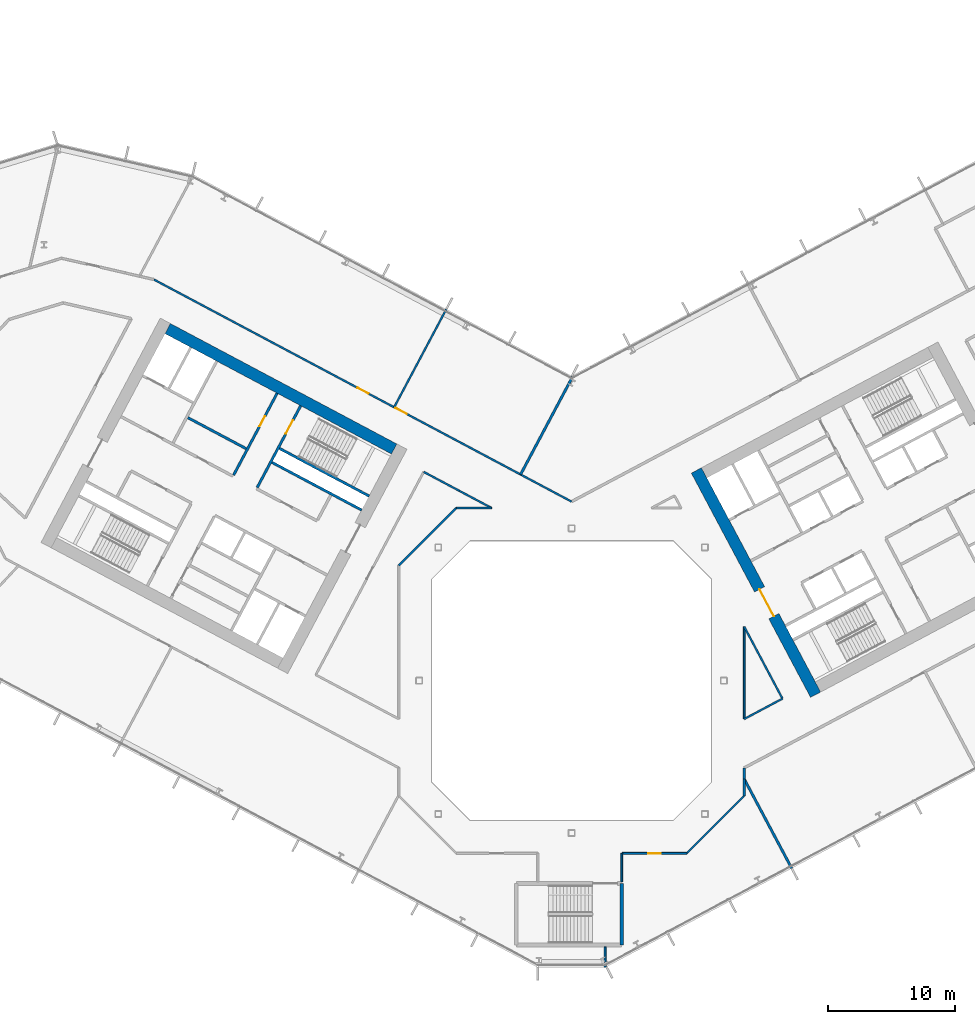
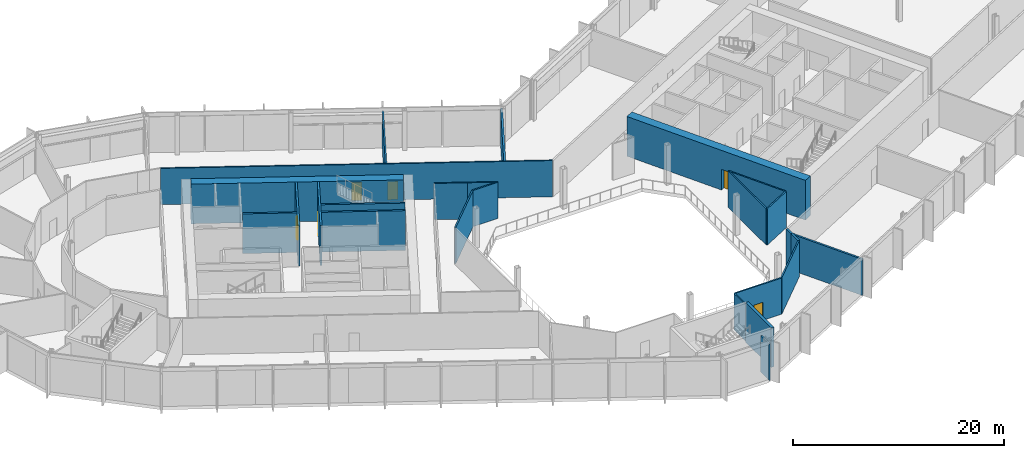
# One storey, part 16 of 30: 25 walls, 6 doors, 6 openings.
"""IFC4 building model written with IfcOpenShell, lengths in metres."""

from ifc_helpers import new_model, si_unit, direction, frame, frame_2d, origin, place, context, subcontext, project, spatial, rectangle, extrude, material, layer, layer_set, type_object, element, fill, save


model = new_model("IFC4")

# Units and contexts
model_context = context("Model", 3, precision=1e-05, world=origin(), true_north=direction((0.0, 1.0)))
body_context = subcontext(model_context, "Body", "Model", "MODEL_VIEW")
ifc_project = project(units=[si_unit("LENGTHUNIT", "METRE"), si_unit("AREAUNIT", "SQUARE_METRE"), si_unit("VOLUMEUNIT", "CUBIC_METRE"), si_unit("PLANEANGLEUNIT", "RADIAN"), si_unit("MASSUNIT", "GRAM", prefix="KILO")], contexts=[model_context])

# Site, building, storey
site_placement = place(None, origin())
site = spatial("IfcSite", under=ifc_project, at=site_placement, CompositionType="ELEMENT")
building_placement = place(site_placement, origin())
building = spatial("IfcBuilding", under=site, at=building_placement, Name="Cormorant Relay Tower", CompositionType="ELEMENT")
storey_placement = place(building_placement, frame((0.0, 0.0, 84.60009765625)))
storey = spatial("IfcBuildingStorey", under=building, at=storey_placement, Name="L16", CompositionType="ELEMENT", Elevation=84.60009765625)

# Wall, opening, door
ifc_material_1 = material(Name="Concrete 50 MPa", Category="concrete")
ifc_layer_1 = layer(ifc_material_1, 0.199951171875)
ifc_layer_set_1 = layer_set([ifc_layer_1], Name="Core shaft wall 200")
wall_type_1 = type_object("IfcWallType", Name="Core shaft wall 200", PredefinedType="SHEAR", material=ifc_layer_set_1)
wall_1_placement = place(storey_placement, frame((-21.333251953125, 21.6494140625, 0.0), z_axis=(0.0, 0.0, 1.0), x_axis=(-0.469494272526, -0.882935517501, 0.0)))
wall_1 = element("IfcWall", 1, at=wall_1_placement, inside=storey, type_object=wall_type_1, Name="L16 core A shaft wall", PredefinedType="SHEAR", context=body_context, shape_type="SweptSolid", body=[
    extrude(rectangle(XDim=7.2998046875, YDim=0.199951171875, at=frame_2d((3.64990234375, 0.0))), origin(), (0.0, 0.0, 1.0), 4.599853515625),
])
opening_1_placement = place(wall_1_placement, frame((1.300048828125, 0.0, 0.0)))
opening_1 = element("IfcOpeningElement", 2, at=opening_1_placement, cuts=wall_1, Name="Opening CDB-024", PredefinedType="OPENING", context=body_context, shape_type="SweptSolid", body=[
    extrude(rectangle(XDim=1.199951171875, YDim=2.10009765625, at=frame_2d((0.60009765625, 1.050048828125))), frame((0.0, 0.10986328125, 0.0), z_axis=(0.0, -1.0, 0.0), x_axis=(1.0, 0.0, 0.0)), (0.0, 0.0, 1.0), 0.219970703125),
])
ifc_material_2 = material(Name="Steel fire door", Category="steel")
door_type_1 = type_object("IfcDoorType", Name="Core stair door 1200x2100", OperationType="SINGLE_SWING_LEFT", PredefinedType="DOOR", material=ifc_material_2)
door_1_placement = place(opening_1_placement, origin())
door_1 = element("IfcDoor", 3, at=door_1_placement, inside=storey, type_object=door_type_1, Name="Core stair door 1200x2100", OperationType="SINGLE_SWING_RIGHT", OverallHeight=2.10009765625, OverallWidth=1.199951171875, PredefinedType="DOOR", context=body_context, shape_type="SweptSolid", body=[
    extrude(rectangle(XDim=1.199951171875, YDim=2.10009765625, at=frame_2d((0.60009765625, 1.050048828125))), frame((0.0, 0.02490234375, 0.0), z_axis=(0.0, -1.0, 0.0), x_axis=(1.0, 0.0, 0.0)), (0.0, 0.0, 1.0), 0.050048828125),
])
fill(opening_1, door_1)

wall_2_placement = place(storey_placement, frame((-23.1875, 22.635498046875, 0.0), z_axis=(0.0, 0.0, 1.0), x_axis=(-0.469454336211, -0.882956752176, 0.0)))
wall_2 = element("IfcWall", 4, at=wall_2_placement, inside=storey, type_object=wall_type_1, Name="L16 core A shaft wall", PredefinedType="SHEAR", context=body_context, shape_type="SweptSolid", body=[
    extrude(rectangle(XDim=7.300048828125, YDim=0.199951171875, at=frame_2d((3.64990234375, 0.0))), origin(), (0.0, 0.0, 1.0), 4.599853515625),
])
opening_2_placement = place(wall_2_placement, frame((2.050048828125, 0.0, 0.0)))
opening_2 = element("IfcOpeningElement", 5, at=opening_2_placement, cuts=wall_2, Name="Opening CDD-132", PredefinedType="OPENING", context=body_context, shape_type="SweptSolid", body=[
    extrude(rectangle(XDim=0.89990234375, YDim=2.10009765625, at=frame_2d((0.449951171875, 1.050048828125))), frame((0.0, 0.10986328125, 0.0), z_axis=(0.0, -1.0, 0.0), x_axis=(1.0, 0.0, 0.0)), (0.0, 0.0, 1.0), 0.219970703125),
])
ifc_material_3 = material(Name="Steel fire door", Category="steel")
door_type_2 = type_object("IfcDoorType", Name="Core room door 900x2100", OperationType="SINGLE_SWING_LEFT", PredefinedType="DOOR", material=ifc_material_3)
door_2_placement = place(opening_2_placement, origin())
door_2 = element("IfcDoor", 6, at=door_2_placement, inside=storey, type_object=door_type_2, Name="Core room door 900x2100", OperationType="SINGLE_SWING_LEFT", OverallHeight=2.10009765625, OverallWidth=0.89990234375, PredefinedType="DOOR", context=body_context, shape_type="SweptSolid", body=[
    extrude(rectangle(XDim=0.89990234375, YDim=2.10009765625, at=frame_2d((0.449951171875, 1.050048828125))), frame((0.0, 0.02490234375, 0.0), z_axis=(0.0, -1.0, 0.0), x_axis=(1.0, 0.0, 0.0)), (0.0, 0.0, 1.0), 0.050048828125),
])
fill(opening_2, door_2)

# Walls
wall_3_placement = place(storey_placement, frame((-15.94189453125, 14.53564453125, 0.0), z_axis=(0.0, 0.0, 1.0), x_axis=(-0.882946947542, 0.469472776449, 0.0)))
element("IfcWall", 7, at=wall_3_placement, inside=storey, type_object=wall_type_1, Name="L16 core A shaft wall", PredefinedType="SHEAR", context=body_context, shape_type="SweptSolid", body=[
    extrude(rectangle(XDim=8.000244140625, YDim=0.199951171875, at=frame_2d((4.0, 0.0))), origin(), (0.0, 0.0, 1.0), 4.599853515625),
])
wall_4_placement = place(storey_placement, frame((-16.52880859375, 13.43212890625, 0.0), z_axis=(0.0, 0.0, 1.0), x_axis=(-0.88295287151, 0.469461634952, 0.0)))
element("IfcWall", 8, at=wall_4_placement, inside=storey, type_object=wall_type_1, Name="L16 core A shaft wall", PredefinedType="SHEAR", context=body_context, shape_type="SweptSolid", body=[
    extrude(rectangle(XDim=7.999755859375, YDim=0.199951171875, at=frame_2d((4.0, 0.0))), origin(), (0.0, 0.0, 1.0), 4.599853515625),
])
wall_5_placement = place(storey_placement, frame((-25.623046875, 18.267578125, 0.0), z_axis=(0.0, 0.0, 1.0), x_axis=(-0.882953967957, 0.469459572775, 0.0)))
element("IfcWall", 9, at=wall_5_placement, inside=storey, type_object=wall_type_1, Name="L16 core A shaft wall", PredefinedType="SHEAR", context=body_context, shape_type="SweptSolid", body=[
    extrude(rectangle(XDim=5.199951171875, YDim=0.199951171875, at=frame_2d((2.60009765625, 0.0))), origin(), (0.0, 0.0, 1.0), 4.599853515625),
])
ifc_material_4 = material(Name="Concrete 70 MPa", Category="concrete")
ifc_layer_2 = layer(ifc_material_4, 0.89990234375)
ifc_layer_set_2 = layer_set([ifc_layer_2], Name="Core wall 900")
wall_type_2 = type_object("IfcWallType", Name="Core wall 900", PredefinedType="SHEAR", material=ifc_layer_set_2)
wall_6_placement = place(storey_placement, frame((-13.97021484375, 18.244140625, 0.0), z_axis=(0.0, 0.0, 1.0), x_axis=(-0.88294509198, 0.469476266226, 0.0)))
element("IfcWall", 10, at=wall_6_placement, inside=storey, type_object=wall_type_2, Name="L16 core A wall", PredefinedType="SHEAR", context=body_context, shape_type="SweptSolid", body=[
    extrude(rectangle(XDim=20.199951171875, YDim=0.89990234375, at=frame_2d((10.10009765625, 0.0))), origin(), (0.0, 0.0, 1.0), 4.599853515625),
])

# Wall, opening, door
wall_7_placement = place(storey_placement, frame((19.21923828125, -1.106689453125, 0.0), z_axis=(0.0, 0.0, 1.0), x_axis=(-0.46947084998, 0.882947971864, 0.0)))
wall_7 = element("IfcWall", 11, at=wall_7_placement, inside=storey, type_object=wall_type_2, Name="L16 core B wall", PredefinedType="SHEAR", context=body_context, shape_type="SweptSolid", body=[
    extrude(rectangle(XDim=20.0, YDim=0.89990234375, at=frame_2d((10.0, 0.0))), origin(), (0.0, 0.0, 1.0), 4.599853515625),
])
opening_3_placement = place(wall_7_placement, frame((7.0, 0.0, 0.0)))
opening_3 = element("IfcOpeningElement", 12, at=opening_3_placement, cuts=wall_7, Name="Opening CDA-019", PredefinedType="OPENING", context=body_context, shape_type="SweptSolid", body=[
    extrude(rectangle(XDim=2.39990234375, YDim=2.39990234375, at=frame_2d((1.199951171875, 1.199951171875))), frame((0.0, 0.4599609375, 0.0), z_axis=(0.0, -1.0, 0.0), x_axis=(1.0, 0.0, 0.0)), (0.0, 0.0, 1.0), 0.919921875),
])
ifc_material_5 = material(Name="Steel fire door", Category="steel")
door_type_3 = type_object("IfcDoorType", Name="Core lobby door 2400x2400", OperationType="DOUBLE_DOOR_SINGLE_SWING", PredefinedType="DOOR", material=ifc_material_5)
door_3_placement = place(opening_3_placement, frame((2.39990234375, 0.0, 0.0), z_axis=(0.0, 0.0, 1.0), x_axis=(-1.0, 0.0, 0.0)))
door_3 = element("IfcDoor", 13, at=door_3_placement, inside=storey, type_object=door_type_3, Name="Core lobby door 2400x2400", OperationType="DOUBLE_DOOR_SINGLE_SWING", OverallHeight=2.39990234375, OverallWidth=2.39990234375, PredefinedType="DOOR", context=body_context, shape_type="SweptSolid", body=[
    extrude(rectangle(XDim=2.39990234375, YDim=2.39990234375, at=frame_2d((1.199951171875, 1.199951171875))), frame((0.0, 0.02490234375, 0.0), z_axis=(0.0, -1.0, 0.0), x_axis=(1.0, 0.0, 0.0)), (0.0, 0.0, 1.0), 0.050048828125),
])
fill(opening_3, door_3)

# Walls
ifc_material_6 = material(Name="Fire-rated gypsum board partition")
ifc_layer_3 = layer(ifc_material_6, 0.199951171875)
ifc_layer_set_3 = layer_set([ifc_layer_3], Name="Fire-rated gypsum partition 200")
wall_type_3 = type_object("IfcWallType", Name="Fire-rated gypsum partition 200", PredefinedType="PARTITIONING", material=ifc_layer_set_3)
wall_8_placement = place(storey_placement, frame((0.10498046875, 23.98388671875, 0.0), z_axis=(0.0, 0.0, 1.0), x_axis=(-0.469364726907, -0.883004390213, 0.0)))
element("IfcWall", 14, at=wall_8_placement, inside=storey, type_object=wall_type_3, Name="wall/L16/part/45", PredefinedType="PARTITIONING", context=body_context, shape_type="SweptSolid", body=[
    extrude(rectangle(XDim=8.775390625, YDim=0.199951171875, at=frame_2d((4.3876953125, 0.0))), origin(), (0.0, 0.0, 1.0), 4.199951171875),
])
wall_9_placement = place(storey_placement, frame((13.60009765625, -7.756103515625, 0.0), z_axis=(0.0, 0.0, 1.0), x_axis=(0.0, -1.0, 0.0)))
element("IfcWall", 15, at=wall_9_placement, inside=storey, type_object=wall_type_3, Name="wall/L16/part/51", PredefinedType="PARTITIONING", context=body_context, shape_type="SweptSolid", body=[
    extrude(rectangle(XDim=1.32080078125, YDim=0.199951171875, at=frame_2d((0.660400390625, 0.0))), origin(), (0.0, 0.0, 1.0), 4.199951171875),
])
wall_10_placement = place(storey_placement, frame((13.60009765625, -7.75, 0.0), z_axis=(0.0, 0.0, 1.0), x_axis=(0.469489555723, -0.882938025609, 0.0)))
element("IfcWall", 16, at=wall_10_placement, inside=storey, type_object=wall_type_3, Name="wall/L16/part/54", PredefinedType="PARTITIONING", context=body_context, shape_type="SweptSolid", body=[
    extrude(rectangle(XDim=7.972412109375, YDim=0.199951171875, at=frame_2d((3.986328125, 0.0))), origin(), (0.0, 0.0, 1.0), 4.199951171875),
])
wall_11_placement = place(storey_placement, frame((13.60009765625, -6.868896484375, 0.0), z_axis=(0.0, 0.0, 1.0), x_axis=(0.0, -1.0, 0.0)))
element("IfcWall", 17, at=wall_11_placement, inside=storey, type_object=wall_type_3, Name="wall/L16/part/55", PredefinedType="PARTITIONING", context=body_context, shape_type="SweptSolid", body=[
    extrude(rectangle(XDim=0.88720703125, YDim=0.199951171875, at=frame_2d((0.443603515625, 0.0))), origin(), (0.0, 0.0, 1.0), 4.199951171875),
])

# Wall, openings, doors
ifc_material_7 = material(Name="Gypsum board partition")
ifc_layer_4 = layer(ifc_material_7, 0.14990234375)
ifc_layer_set_4 = layer_set([ifc_layer_4], Name="Gypsum board partition 150")
wall_type_4 = type_object("IfcWallType", Name="Gypsum board partition 150", PredefinedType="PARTITIONING", material=ifc_layer_set_4)
wall_12_placement = place(storey_placement, frame((-32.89404296875, 31.590087890625, 0.0), z_axis=(0.0, 0.0, 1.0), x_axis=(0.882948512555, -0.469469833085, 0.0)))
wall_12 = element("IfcWall", 18, at=wall_12_placement, inside=storey, type_object=wall_type_4, Name="wall/L16/part/37", PredefinedType="PARTITIONING", context=body_context, shape_type="SweptSolid", body=[
    extrude(rectangle(XDim=37.2548828125, YDim=0.14990234375, at=frame_2d((18.62744140625, 0.0))), origin(), (0.0, 0.0, 1.0), 4.199951171875),
])
opening_4_placement = place(wall_12_placement, frame((21.550048828125, 0.0, 0.0)))
opening_4 = element("IfcOpeningElement", 19, at=opening_4_placement, cuts=wall_12, Name="Opening D1-032", PredefinedType="OPENING", context=body_context, shape_type="SweptSolid", body=[
    extrude(rectangle(XDim=1.0, YDim=2.10009765625, at=frame_2d((0.5, 1.050048828125))), frame((0.0, 0.0849609375, 0.0), z_axis=(0.0, -1.0, 0.0), x_axis=(1.0, 0.0, 0.0)), (0.0, 0.0, 1.0), 0.169921875),
])
opening_5_placement = place(wall_12_placement, frame((18.14990234375, 0.0, 0.0)))
opening_5 = element("IfcOpeningElement", 20, at=opening_5_placement, cuts=wall_12, Name="Opening D1-033", PredefinedType="OPENING", context=body_context, shape_type="SweptSolid", body=[
    extrude(rectangle(XDim=1.0, YDim=2.10009765625, at=frame_2d((0.5, 1.050048828125))), frame((0.0, 0.0849609375, 0.0), z_axis=(0.0, -1.0, 0.0), x_axis=(1.0, 0.0, 0.0)), (0.0, 0.0, 1.0), 0.169921875),
])
ifc_material_8 = material(Name="Painted steel door", Category="steel")
door_type_4 = type_object("IfcDoorType", Name="Single door 1000 x 2100", OperationType="SINGLE_SWING_LEFT", PredefinedType="DOOR", material=ifc_material_8)
door_4_placement = place(opening_4_placement, origin())
door_4 = element("IfcDoor", 21, at=door_4_placement, inside=storey, type_object=door_type_4, Name="door/L16/11", OperationType="SINGLE_SWING_LEFT", OverallHeight=2.10009765625, OverallWidth=1.0, PredefinedType="DOOR", context=body_context, shape_type="SweptSolid", body=[
    extrude(rectangle(XDim=1.0, YDim=2.10009765625, at=frame_2d((0.5, 1.050048828125))), frame((0.0, 0.02490234375, 0.0), z_axis=(0.0, -1.0, 0.0), x_axis=(1.0, 0.0, 0.0)), (0.0, 0.0, 1.0), 0.050048828125),
])
fill(opening_4, door_4)
door_5_placement = place(opening_5_placement, origin())
door_5 = element("IfcDoor", 22, at=door_5_placement, inside=storey, type_object=door_type_4, Name="door/L16/12", OperationType="SINGLE_SWING_RIGHT", OverallHeight=2.10009765625, OverallWidth=1.0, PredefinedType="DOOR", context=body_context, shape_type="SweptSolid", body=[
    extrude(rectangle(XDim=1.0, YDim=2.10009765625, at=frame_2d((0.5, 1.050048828125))), frame((0.0, 0.02490234375, 0.0), z_axis=(0.0, -1.0, 0.0), x_axis=(1.0, 0.0, 0.0)), (0.0, 0.0, 1.0), 0.050048828125),
])
fill(opening_5, door_5)

# Walls
wall_13_placement = place(storey_placement, frame((-9.864013671875, 29.2548828125, 0.0), z_axis=(0.0, 0.0, 1.0), x_axis=(-0.469472759909, -0.882946956336, 0.0)))
element("IfcWall", 23, at=wall_13_placement, inside=storey, type_object=wall_type_4, Name="wall/L16/part/39", PredefinedType="PARTITIONING", context=body_context, shape_type="SweptSolid", body=[
    extrude(rectangle(XDim=8.75, YDim=0.14990234375, at=frame_2d((4.375, 0.0))), origin(), (0.0, 0.0, 1.0), 4.199951171875),
])
wall_14_placement = place(storey_placement, frame((-11.64404296875, 16.44091796875, 0.0), z_axis=(0.0, 0.0, 1.0), x_axis=(0.882853947977, -0.469647640834, 0.0)))
element("IfcWall", 24, at=wall_14_placement, inside=storey, type_object=wall_type_4, Name="wall/L16/part/41", PredefinedType="PARTITIONING", context=body_context, shape_type="SweptSolid", body=[
    extrude(rectangle(XDim=3.1533203125, YDim=0.14990234375, at=frame_2d((1.57666015625, 0.0))), origin(), (0.0, 0.0, 1.0), 4.199951171875),
])
wall_15_placement = place(storey_placement, frame((-13.60009765625, 9.076904296875, 0.0), z_axis=(0.0, 0.0, 1.0), x_axis=(0.707106781187, 0.707106781187, 0.0)))
element("IfcWall", 25, at=wall_15_placement, inside=storey, type_object=wall_type_4, Name="wall/L16/part/44", PredefinedType="PARTITIONING", context=body_context, shape_type="SweptSolid", body=[
    extrude(rectangle(XDim=6.396728515625, YDim=0.14990234375, at=frame_2d((3.1982421875, 0.0))), origin(), (0.0, 0.0, 1.0), 4.199951171875),
])
wall_16_placement = place(storey_placement, frame((-6.301025390625, 13.60009765625, 0.0), z_axis=(0.0, 0.0, 1.0), x_axis=(-1.0, 0.0, 0.0)))
element("IfcWall", 26, at=wall_16_placement, inside=storey, type_object=wall_type_4, Name="wall/L16/part/46", PredefinedType="PARTITIONING", context=body_context, shape_type="SweptSolid", body=[
    extrude(rectangle(XDim=2.77587890625, YDim=0.14990234375, at=frame_2d((1.387939453125, 0.0))), origin(), (0.0, 0.0, 1.0), 4.199951171875),
])
wall_17_placement = place(storey_placement, frame((-6.301025390625, 13.60009765625, 0.0), z_axis=(0.0, 0.0, 1.0), x_axis=(-0.883065539011, 0.469249671083, 0.0)))
element("IfcWall", 27, at=wall_17_placement, inside=storey, type_object=wall_type_4, Name="wall/L16/part/47", PredefinedType="PARTITIONING", context=body_context, shape_type="SweptSolid", body=[
    extrude(rectangle(XDim=2.89794921875, YDim=0.14990234375, at=frame_2d((1.448974609375, 0.0))), origin(), (0.0, 0.0, 1.0), 4.199951171875),
])
wall_18_placement = place(storey_placement, frame((2.64892578125, -22.58203125, 0.0), z_axis=(0.0, 0.0, 1.0), x_axis=(0.0, 1.0, 0.0)))
element("IfcWall", 28, at=wall_18_placement, inside=storey, type_object=wall_type_4, Name="wall/L16/part/49", PredefinedType="PARTITIONING", context=body_context, shape_type="SweptSolid", body=[
    extrude(rectangle(XDim=1.6220703125, YDim=0.14990234375, at=frame_2d((0.81103515625, 0.0))), origin(), (0.0, 0.0, 1.0), 4.199951171875),
])
wall_19_placement = place(storey_placement, frame((3.949951171875, -13.60009765625, 0.0), z_axis=(0.0, 0.0, 1.0), x_axis=(0.0, -1.0, 0.0)))
element("IfcWall", 29, at=wall_19_placement, inside=storey, type_object=wall_type_4, Name="wall/L16/part/50", PredefinedType="PARTITIONING", context=body_context, shape_type="SweptSolid", body=[
    extrude(rectangle(XDim=2.239990234375, YDim=0.14990234375, at=frame_2d((1.1201171875, 0.0))), origin(), (0.0, 0.0, 1.0), 4.199951171875),
])
wall_20_placement = place(storey_placement, frame((13.60009765625, -9.076904296875, 0.0), z_axis=(0.0, 0.0, 1.0), x_axis=(-0.707106781187, -0.707106781187, 0.0)))
element("IfcWall", 30, at=wall_20_placement, inside=storey, type_object=wall_type_4, Name="wall/L16/part/52", PredefinedType="PARTITIONING", context=body_context, shape_type="SweptSolid", body=[
    extrude(rectangle(XDim=6.396728515625, YDim=0.14990234375, at=frame_2d((3.1982421875, 0.0))), origin(), (0.0, 0.0, 1.0), 4.199951171875),
])

# Wall, opening, door
wall_21_placement = place(storey_placement, frame((9.076904296875, -13.60009765625, 0.0), z_axis=(0.0, 0.0, 1.0), x_axis=(-1.0, 0.0, 0.0)))
wall_21 = element("IfcWall", 31, at=wall_21_placement, inside=storey, type_object=wall_type_4, Name="wall/L16/part/53", PredefinedType="PARTITIONING", context=body_context, shape_type="SweptSolid", body=[
    extrude(rectangle(XDim=5.091796875, YDim=0.14990234375, at=frame_2d((2.5458984375, 0.0))), origin(), (0.0, 0.0, 1.0), 4.199951171875),
])
opening_6_placement = place(wall_21_placement, frame((2.050048828125, 0.0, 0.0)))
opening_6 = element("IfcOpeningElement", 32, at=opening_6_placement, cuts=wall_21, Name="Opening D1-043", PredefinedType="OPENING", context=body_context, shape_type="SweptSolid", body=[
    extrude(rectangle(XDim=1.0, YDim=2.10009765625, at=frame_2d((0.5, 1.050048828125))), frame((0.0, 0.0849609375, 0.0), z_axis=(0.0, -1.0, 0.0), x_axis=(1.0, 0.0, 0.0)), (0.0, 0.0, 1.0), 0.169921875),
])
door_6_placement = place(opening_6_placement, origin())
door_6 = element("IfcDoor", 33, at=door_6_placement, inside=storey, type_object=door_type_4, Name="door/L16/3", OperationType="SINGLE_SWING_RIGHT", OverallHeight=2.10009765625, OverallWidth=1.0, PredefinedType="DOOR", context=body_context, shape_type="SweptSolid", body=[
    extrude(rectangle(XDim=1.0, YDim=2.10009765625, at=frame_2d((0.5, 1.050048828125))), frame((0.0, 0.02490234375, 0.0), z_axis=(0.0, -1.0, 0.0), x_axis=(1.0, 0.0, 0.0)), (0.0, 0.0, 1.0), 0.050048828125),
])
fill(opening_6, door_6)

# Walls
wall_22_placement = place(storey_placement, frame((13.60009765625, 4.242919921875, 0.0), z_axis=(0.0, 0.0, 1.0), x_axis=(0.0, -1.0, 0.0)))
element("IfcWall", 34, at=wall_22_placement, inside=storey, type_object=wall_type_4, Name="wall/L16/part/88", PredefinedType="PARTITIONING", context=body_context, shape_type="SweptSolid", body=[
    extrude(rectangle(XDim=7.261962890625, YDim=0.14990234375, at=frame_2d((3.630859375, 0.0))), origin(), (0.0, 0.0, 1.0), 4.199951171875),
])
wall_23_placement = place(storey_placement, frame((13.60009765625, -3.01904296875, 0.0), z_axis=(0.0, 0.0, 1.0), x_axis=(0.8828717575, 0.469614160571, 0.0)))
element("IfcWall", 35, at=wall_23_placement, inside=storey, type_object=wall_type_4, Name="wall/L16/part/89", PredefinedType="PARTITIONING", context=body_context, shape_type="SweptSolid", body=[
    extrude(rectangle(XDim=3.409423828125, YDim=0.14990234375, at=frame_2d((1.70458984375, 0.0))), origin(), (0.0, 0.0, 1.0), 4.199951171875),
])
wall_24_placement = place(storey_placement, frame((16.610107421875, -1.41796875, 0.0), z_axis=(0.0, 0.0, 1.0), x_axis=(-0.469479085554, 0.882943592891, 0.0)))
element("IfcWall", 36, at=wall_24_placement, inside=storey, type_object=wall_type_4, Name="wall/L16/part/90", PredefinedType="PARTITIONING", context=body_context, shape_type="SweptSolid", body=[
    extrude(rectangle(XDim=6.411376953125, YDim=0.14990234375, at=frame_2d((3.20556640625, 0.0))), origin(), (0.0, 0.0, 1.0), 4.199951171875),
])
ifc_material_9 = material(Name="Concrete 50 MPa", Category="concrete")
ifc_layer_5 = layer(ifc_material_9, 0.300048828125)
ifc_layer_set_5 = layer_set([ifc_layer_5], Name="Remote stair wall 300")
wall_type_5 = type_object("IfcWallType", Name="Remote stair wall 300", PredefinedType="SHEAR", material=ifc_layer_set_5)
wall_25_placement = place(storey_placement, frame((3.949951171875, -15.97509765625, 0.0), z_axis=(0.0, 0.0, 1.0), x_axis=(0.0, -1.0, 0.0)))
element("IfcWall", 37, at=wall_25_placement, inside=storey, type_object=wall_type_5, Name="L16 exit stair RK1 wall", PredefinedType="SHEAR", context=body_context, shape_type="SweptSolid", body=[
    extrude(rectangle(XDim=4.849853515625, YDim=0.300048828125, at=frame_2d((2.4248046875, 0.0))), origin(), (0.0, 0.0, 1.0), 4.599853515625),
])

save(model, "model.ifc")
